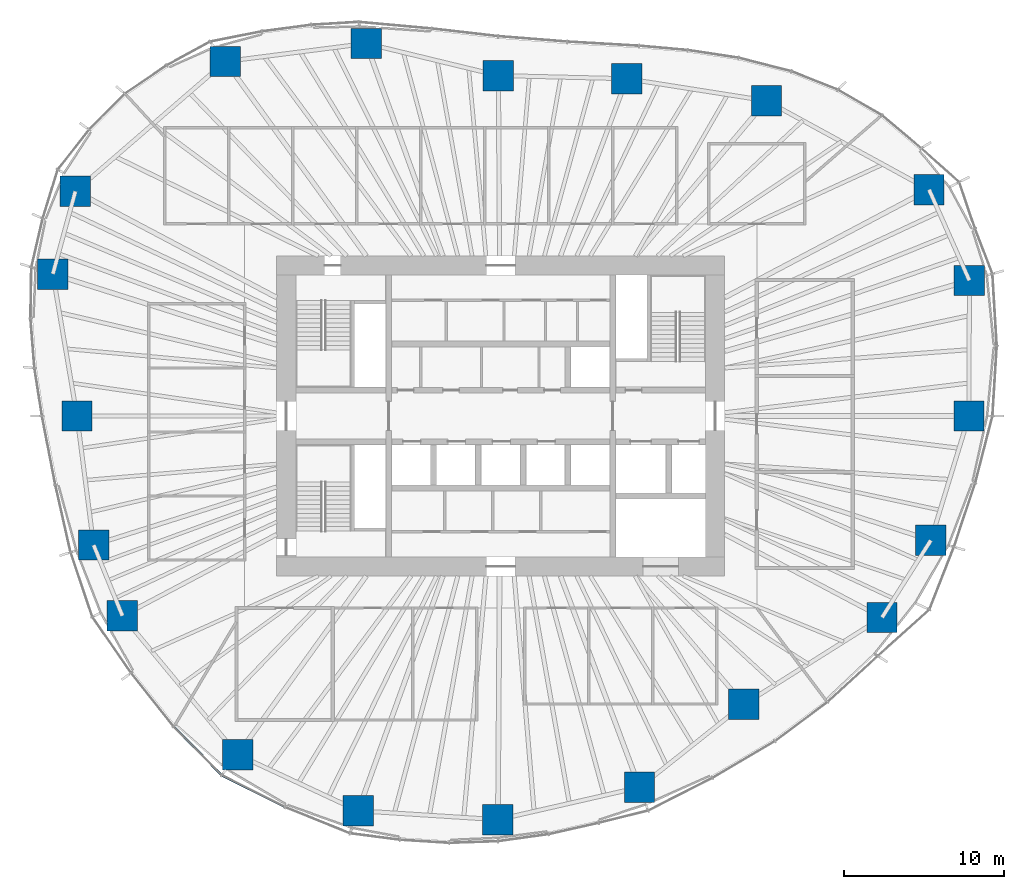
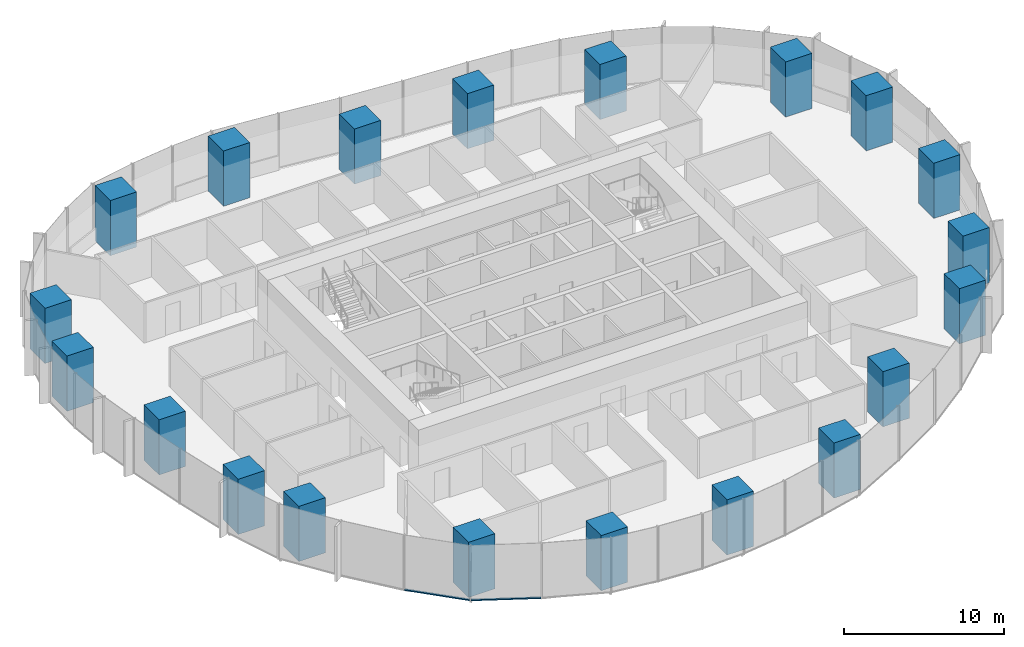
# One storey, part 1 of 20: 20 columns, 2 members, 2 elements without a shape of their own.
"""IFC4 building model written with IfcOpenShell, lengths in metres."""

from ifc_helpers import new_model, si_unit, direction, frame, origin, origin_2d, place, context, subcontext, project, spatial, rectangle, extrude, material, material_profile, profile_set, type_object, element, aggregate, save


model = new_model("IFC4")

# Units and contexts
model_context = context("Model", 3, precision=1e-05, world=origin(), true_north=direction((0.0, 1.0)))
body_context = subcontext(model_context, "Body", "Model", "MODEL_VIEW")
ifc_project = project(units=[si_unit("LENGTHUNIT", "METRE"), si_unit("AREAUNIT", "SQUARE_METRE"), si_unit("VOLUMEUNIT", "CUBIC_METRE"), si_unit("PLANEANGLEUNIT", "RADIAN"), si_unit("MASSUNIT", "GRAM", prefix="KILO")], contexts=[model_context])

# Site, building, storey
site_placement = place(None, origin())
site = spatial("IfcSite", under=ifc_project, at=site_placement, CompositionType="ELEMENT")
building_placement = place(site_placement, origin())
building = spatial("IfcBuilding", under=site, at=building_placement, Name="Ghaith Harvest Tower", CompositionType="ELEMENT")
storey_placement = place(building_placement, frame((0.0, 0.0, 109.199951171875)))
storey = spatial("IfcBuildingStorey", under=building, at=storey_placement, Name="L22", CompositionType="ELEMENT", Elevation=109.199951171875)

# Columns
ifc_material_1 = material(Name="Concrete C70/85", Category="concrete")
ifc_material_profile_1 = material_profile(ifc_material_1, rectangle(XDim=1.89990234375, YDim=1.89990234375, at=origin_2d()), Name="RC1900X1900")
ifc_profile_set_1 = profile_set([ifc_material_profile_1], Name="Concrete C70/85")
column_type = type_object("IfcColumnType", Name="TC9 RC1900X1900", PredefinedType="COLUMN", material=ifc_profile_set_1)
for number, where, z_axis, x_axis, name in (
    (1, (29.259033203125, 0.0, 0.0), (0.0, 0.0, 1.0), (1.0, 0.0, 0.0), "Perimeter column C01"),
    (2, (29.285888671875, 8.464111328125, 0.0), (0.0, 0.0, 1.0), (1.0, 0.0, 0.0), "Perimeter column C02"),
    (3, (26.763916015625, 14.14697265625, 0.0), (0.0, 0.0, 1.0), (1.0, 0.0, 0.0), "Perimeter column C03"),
    (4, (16.60791015625, 19.695068359375, 0.0), (0.0, 0.0, 1.0), (1.0, 0.0, 0.0), "Perimeter column C04"),
    (5, (7.8779296875, 21.072021484375, 0.0), (0.0, 0.0, 1.0), (1.0, 0.0, 0.0), "Perimeter column C05"),
    (6, (-0.14599609375, 21.27099609375, 0.0), (0.0, 0.0, 1.0), (1.0, 0.0, 0.0), "Perimeter column C06"),
    (7, (-8.406982421875, 23.27587890625, 0.0), (0.0, 0.0, 1.0), (1.0, 0.0, 0.0), "Perimeter column C07"),
    (8, (-17.201904296875, 22.14990234375, 0.0), (0.0, 0.0, 1.0), (1.0, 0.0, 0.0), "Perimeter column C08"),
    (9, (-26.572998046875, 14.0458984375, 0.0), (0.0, 0.0, 1.0), (1.0, 0.0, 0.0), "Perimeter column C09"),
    (10, (-27.98291015625, 8.867919921875, 0.0), (0.0, 0.0, 1.0), (1.0, 0.0, 0.0), "Perimeter column C10"),
    (11, (-26.47509765625, 0.0, 0.0), (0.0, 0.0, 1.0), (1.0, 0.0, 0.0), "Perimeter column C11"),
    (12, (-25.43603515625, -8.06103515625, 0.0), (0.0, 0.0, 1.0), (1.0, 0.0, 0.0), "Perimeter column C12"),
    (13, (-23.635009765625, -12.492919921875, 0.0), (0.0, 0.0, 1.0), (1.0, 0.0, 0.0), "Perimeter column C13"),
    (14, (-16.43701171875, -21.1640625, 0.0), (0.0, 0.0, 1.0), (1.0, 0.0, 0.0), "Perimeter column C14"),
    (15, (-8.908935546875, -24.66796875, 0.0), (0.0, 0.0, 1.0), (1.0, 0.0, 0.0), "Perimeter column C15"),
    (16, (-0.173095703125, -25.22412109375, 0.0), (0.0, 0.0, 1.0), (1.0, 0.0, 0.0), "Perimeter column C16"),
    (17, (8.674072265625, -23.202880859375, 0.0), (0.0, 0.0, 1.0), (1.0, 0.0, 0.0), "Perimeter column C17"),
    (18, (15.197998046875, -18.02294921875, 0.0), (0.0, 0.0, 1.0), (1.0, 0.0, 0.0), "Perimeter column C18"),
    (19, (23.825927734375, -12.593994140625, 0.0), (0.0, 0.0, 1.0), (1.0, 0.0, 0.0), "Perimeter column C19"),
    (20, (26.8779296875, -7.76806640625, 0.0), (0.0, 0.0, 1.0), (1.0, 0.0, 0.0), "Perimeter column C20"),
):
    element("IfcColumn", number, at=place(storey_placement, frame(where, z_axis=z_axis, x_axis=x_axis)), inside=storey, type_object=column_type, Name=name, PredefinedType="COLUMN", context=body_context, shape_type="SweptSolid", body=[
        extrude(rectangle(XDim=1.89990234375, YDim=1.89990234375, at=origin_2d()), origin(), (0.0, 0.0, 1.0), 4.199951171875),
    ])

# Curtain wall, member
ifc_material_2 = material(Name="Black anodised aluminium and fritted glass", Category="aluminium")
curtain_wall_type = type_object("IfcCurtainWallType", Name="CW-L CURTAIN WALL", PredefinedType="NOTDEFINED", material=ifc_material_2)
curtain_wall_1_placement = place(storey_placement, origin())
curtain_wall_1 = element("IfcCurtainWall", 21, at=curtain_wall_1_placement, inside=storey, type_object=curtain_wall_type, Name="Curtain wall CW-L bay 13 L22", PredefinedType="NOTDEFINED")
ifc_material_3 = material(Name="Aluminium, black anodised", Category="aluminium")
ifc_material_profile_2 = material_profile(ifc_material_3, rectangle(XDim=0.14990234375, YDim=0.080078125, at=origin_2d()), Name="CW-L TRANSOM 150x80")
ifc_profile_set_2 = profile_set([ifc_material_profile_2], Name="Aluminium, black anodised")
member_type = type_object("IfcMemberType", Name="CW-L TRANSOM 150x80", PredefinedType="USERDEFINED", material=ifc_profile_set_2)
member_1_placement = place(storey_placement, frame((-20.4130859375, -19.425048828125, 0.0400390625), z_axis=(0.702854410476, -0.711333731574, 0.0), x_axis=(0.711333731574, 0.702854410476, 0.0)))
member_1 = element("IfcMember", 22, at=member_1_placement, type_object=member_type, Name="CW-L transom 2 bay 13 L22", ObjectType="TRANSOM", PredefinedType="USERDEFINED", context=body_context, shape_type="SweptSolid", body=[
    extrude(rectangle(XDim=0.14990234375, YDim=0.080078125, at=origin_2d()), origin(), (0.0, 0.0, 1.0), 4.20361328125),
])
aggregate(curtain_wall_1, [member_1])

curtain_wall_2_placement = place(storey_placement, origin())
curtain_wall_2 = element("IfcCurtainWall", 23, at=curtain_wall_2_placement, inside=storey, type_object=curtain_wall_type, Name="Curtain wall CW-L bay 14 L22", PredefinedType="NOTDEFINED")
member_2_placement = place(storey_placement, frame((-17.394775390625, -22.461669921875, 0.0400390625), z_axis=(0.893057524502, -0.449942505138, 0.0), x_axis=(0.449942505138, 0.893057524502, 0.0)))
member_2 = element("IfcMember", 24, at=member_2_placement, type_object=member_type, Name="CW-L transom 1 bay 14 L22", ObjectType="TRANSOM", PredefinedType="USERDEFINED", context=body_context, shape_type="SweptSolid", body=[
    extrude(rectangle(XDim=0.14990234375, YDim=0.080078125, at=origin_2d()), origin(), (0.0, 0.0, 1.0), 4.362548828125),
])
aggregate(curtain_wall_2, [member_2])

save(model, "model.ifc")
